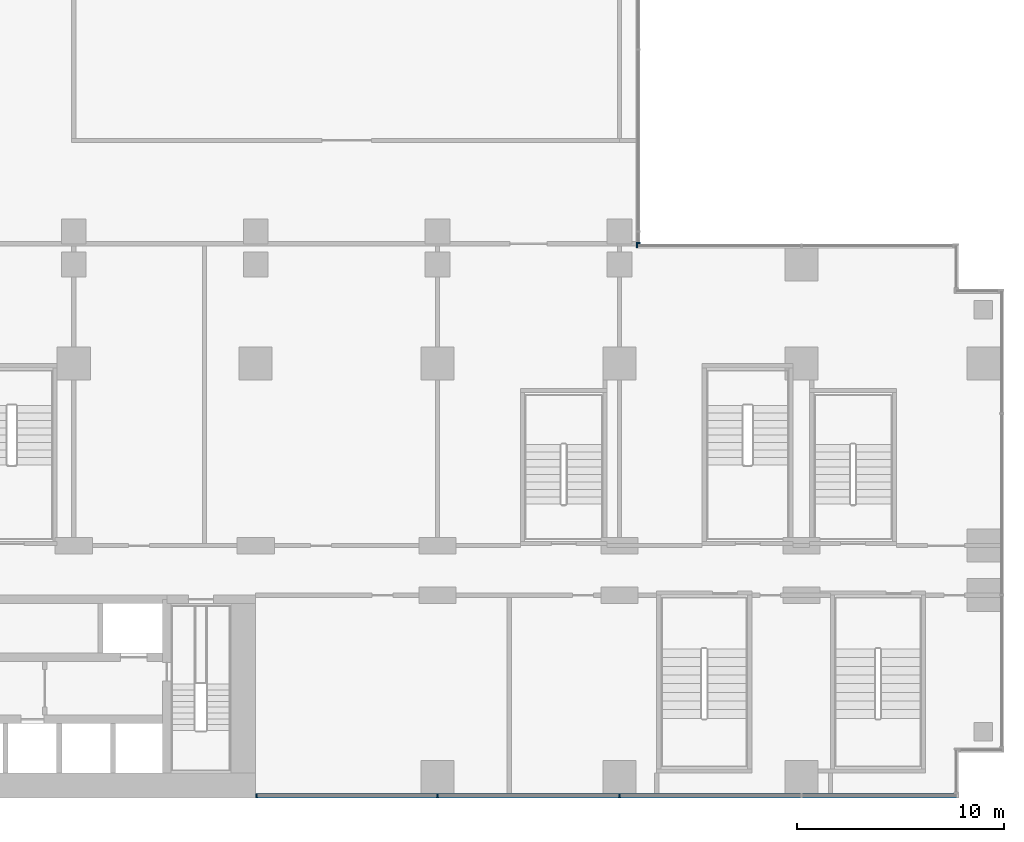
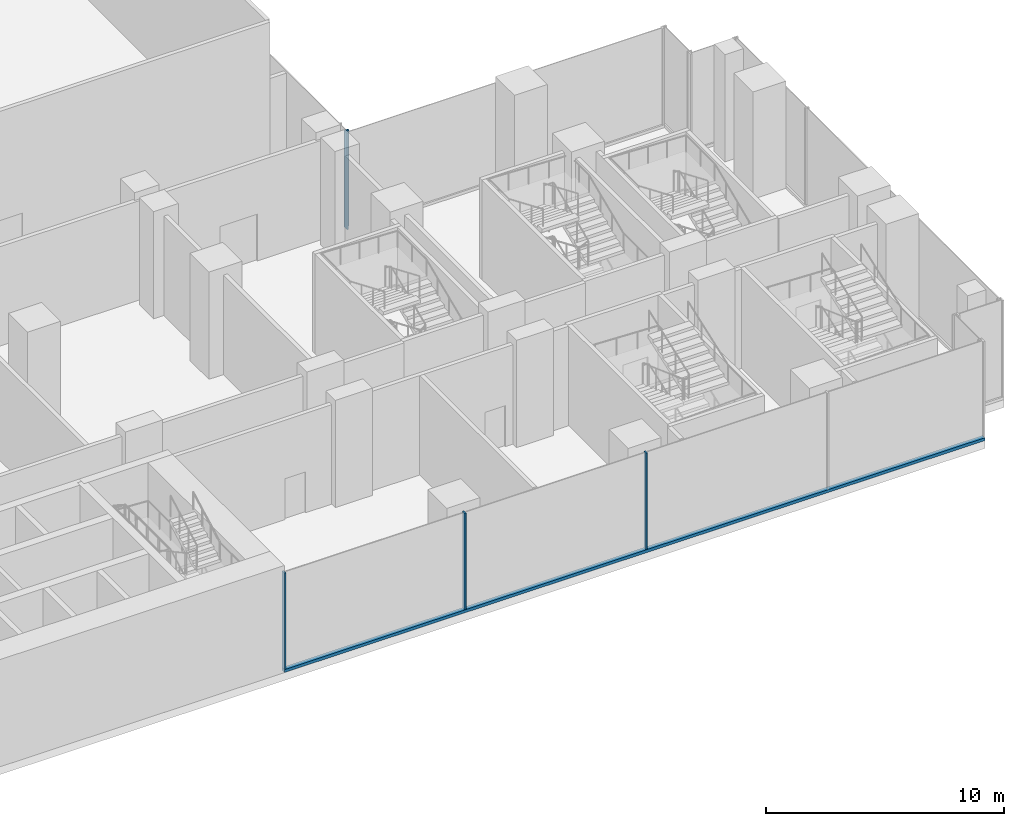
# One storey, part 3 of 30: 6 members, 3 elements without a shape of their own.
"""IFC4 building model written with IfcOpenShell, lengths in metres."""

from ifc_helpers import new_model, si_unit, direction, frame, origin, origin_2d, place, context, subcontext, project, spatial, rectangle, extrude, source, transform, mapped, material, material_profile, profile_set, type_object, element, aggregate, save


model = new_model("IFC4")

# Units and contexts
model_context = context("Model", 3, precision=1e-05, world=origin(), true_north=direction((0.0, 1.0)))
body_context = subcontext(model_context, "Body", "Model", "MODEL_VIEW")
ifc_project = project(units=[si_unit("LENGTHUNIT", "METRE"), si_unit("AREAUNIT", "SQUARE_METRE"), si_unit("VOLUMEUNIT", "CUBIC_METRE"), si_unit("PLANEANGLEUNIT", "RADIAN"), si_unit("MASSUNIT", "GRAM", prefix="KILO")], contexts=[model_context])

# Site, building, storey
site_placement = place(None, origin())
site = spatial("IfcSite", under=ifc_project, at=site_placement, CompositionType="ELEMENT")
building_placement = place(site_placement, origin())
building = spatial("IfcBuilding", under=site, at=building_placement, Name="Kemantara Hotel Tower", CompositionType="ELEMENT")
storey_placement = place(building_placement, frame((0.0, 0.0, 18.0)))
storey = spatial("IfcBuildingStorey", under=building, at=storey_placement, Name="L03", CompositionType="ELEMENT", Elevation=18.0)

# Curtain wall, members
ifc_material_1 = material(Name="Laminated tinted insulated glass 44 mm", Category="glass")
curtain_wall_type = type_object("IfcCurtainWallType", Name="PODIUM GLASS CURTAIN WALL", PredefinedType="USERDEFINED", material=ifc_material_1)
curtain_wall_1_placement = place(storey_placement, origin())
curtain_wall_1 = element("IfcCurtainWall", 1, at=curtain_wall_1_placement, inside=storey, type_object=curtain_wall_type, Name="CW1 L03 POD-R01-2", ObjectType="PODIUM GLASS CURTAIN WALL", PredefinedType="USERDEFINED")
ifc_material_2 = material(Name="Aluminium 6063-T6 bronze anodised", Category="aluminium")
ifc_material_profile_1 = material_profile(ifc_material_2, rectangle(XDim=0.199951171875, YDim=0.14990234375, at=origin_2d()), Name="PODIUM GLASS CURTAIN WALL TRANSOM")
ifc_profile_set_1 = profile_set([ifc_material_profile_1], Name="Aluminium 6063-T6 bronze anodised")
member_type_1 = type_object("IfcMemberType", Name="PODIUM GLASS CURTAIN WALL TRANSOM", PredefinedType="USERDEFINED", material=ifc_profile_set_1)
member_1_placement = place(storey_placement, frame((45.0, 0.10009765625, 0.074951171875), z_axis=(1.0, 0.0, 0.0), x_axis=(0.0, 1.0, 0.0)))
member_1 = element("IfcMember", 2, at=member_1_placement, type_object=member_type_1, Name="CW1 sill transom POD-R01-2", ObjectType="TRANSOM", PredefinedType="USERDEFINED", context=body_context, shape_type="SweptSolid", body=[
    extrude(rectangle(XDim=0.199951171875, YDim=0.14990234375, at=origin_2d()), origin(), (0.0, 0.0, 1.0), 34.0),
])
ifc_material_profile_2 = material_profile(ifc_material_2, rectangle(XDim=0.199951171875, YDim=0.074951171875, at=origin_2d()), Name="PODIUM GLASS CURTAIN WALL MULLION")
ifc_profile_set_2 = profile_set([ifc_material_profile_2], Name="Aluminium 6063-T6 bronze anodised")
member_type_2 = type_object("IfcMemberType", Name="PODIUM GLASS CURTAIN WALL MULLION", PredefinedType="MULLION", material=ifc_profile_set_2)
shared_shape = source(origin(), body_context, "Body", "SweptSolid", [
    extrude(rectangle(XDim=0.199951171875, YDim=0.074951171875, at=origin_2d()), origin(), (0.0, 0.0, 1.0), 4.9501953125),
])
member_2_placement = place(storey_placement, frame((45.03759765625, 0.10009765625, 0.14990234375), z_axis=(0.0, 0.0, 1.0), x_axis=(0.0, 1.0, 0.0)))
member_2 = element("IfcMember", 3, at=member_2_placement, type_object=member_type_2, Name="CW1 mullion POD-R01-2.1", PredefinedType="MULLION", context=body_context, shape_type="MappedRepresentation", body=[
    mapped(shared_shape, transform((0.0, 0.0, 0.0))),
])
member_3_placement = place(storey_placement, frame((53.800048828125, 0.10009765625, 0.14990234375), z_axis=(0.0, 0.0, 1.0), x_axis=(0.0, 1.0, 0.0)))
member_3 = element("IfcMember", 4, at=member_3_placement, type_object=member_type_2, Name="CW1 mullion POD-R01-2.2", PredefinedType="MULLION", context=body_context, shape_type="MappedRepresentation", body=[
    mapped(shared_shape, transform((0.0, 0.0, 0.0))),
])
member_4_placement = place(storey_placement, frame((62.60009765625, 0.10009765625, 0.14990234375), z_axis=(0.0, 0.0, 1.0), x_axis=(0.0, 1.0, 0.0)))
member_4 = element("IfcMember", 5, at=member_4_placement, type_object=member_type_2, Name="CW1 mullion POD-R01-2.3", PredefinedType="MULLION", context=body_context, shape_type="MappedRepresentation", body=[
    mapped(shared_shape, transform((0.0, 0.0, 0.0))),
])
aggregate(curtain_wall_1, [member_1, member_2, member_3, member_4])

# Curtain wall, member
curtain_wall_2_placement = place(storey_placement, origin())
curtain_wall_2 = element("IfcCurtainWall", 6, at=curtain_wall_2_placement, inside=storey, type_object=curtain_wall_type, Name="CW1 L03 POD-R07-1", ObjectType="PODIUM GLASS CURTAIN WALL", PredefinedType="USERDEFINED")
member_5_placement = place(storey_placement, frame((63.4375, 26.699951171875, 0.14990234375), z_axis=(0.0, 0.0, 1.0), x_axis=(0.0, -1.0, 0.0)))
member_5 = element("IfcMember", 7, at=member_5_placement, type_object=member_type_2, Name="CW1 mullion POD-R07-1.3", PredefinedType="MULLION", context=body_context, shape_type="MappedRepresentation", body=[
    mapped(shared_shape, transform((0.0, 0.0, 0.0))),
])
aggregate(curtain_wall_2, [member_5])

curtain_wall_3_placement = place(storey_placement, origin())
curtain_wall_3 = element("IfcCurtainWall", 8, at=curtain_wall_3_placement, inside=storey, type_object=curtain_wall_type, Name="CW1 L03 POD-R08-1", ObjectType="PODIUM GLASS CURTAIN WALL", PredefinedType="USERDEFINED")
member_6_placement = place(storey_placement, frame((63.5, 26.83740234375, 0.14990234375), z_axis=(0.0, 0.0, 1.0), x_axis=(-1.0, 0.0, 0.0)))
member_6 = element("IfcMember", 9, at=member_6_placement, type_object=member_type_2, Name="CW1 mullion POD-R08-1.1", PredefinedType="MULLION", context=body_context, shape_type="MappedRepresentation", body=[
    mapped(shared_shape, transform((0.0, 0.0, 0.0))),
])
aggregate(curtain_wall_3, [member_6])

save(model, "model.ifc")
